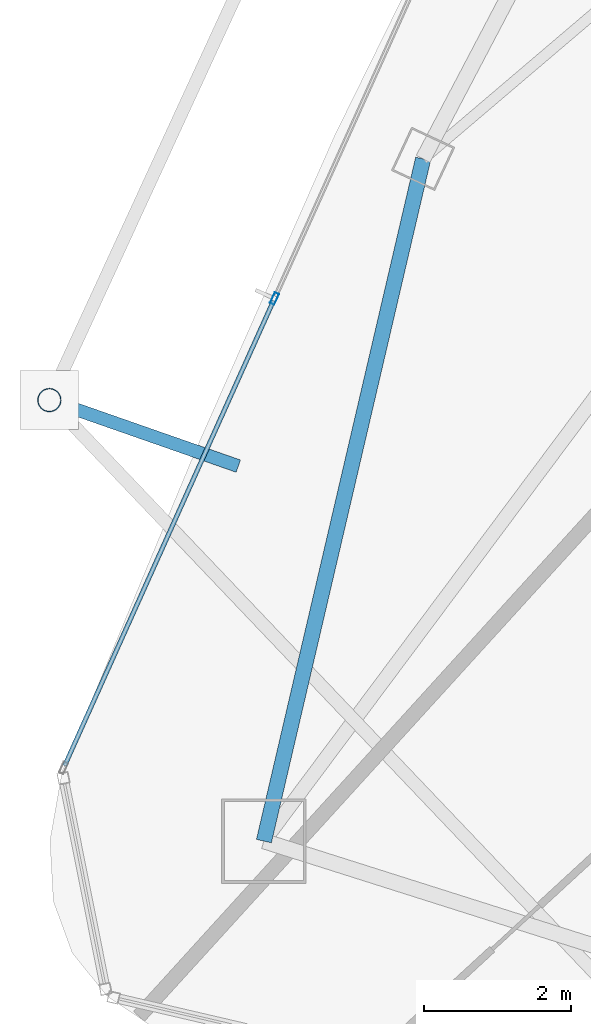
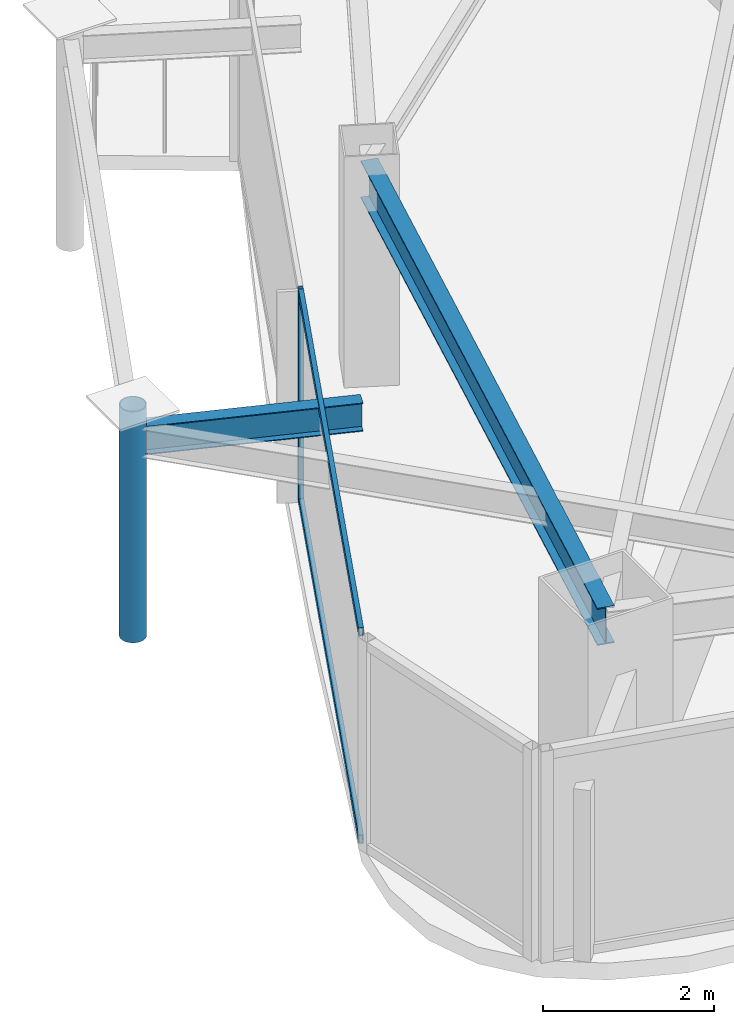
# One storey, part 5 of 30: 4 members, 2 beams, 1 element without a shape of its own.
"""IFC4 building model written with IfcOpenShell, lengths in metres."""

from ifc_helpers import new_model, si_unit, direction, frame, origin, origin_2d, place, context, subcontext, project, spatial, hollow_rectangle, hollow_circle, i_section, extrude, material, layer, layer_set, material_profile, profile_set, type_object, element, aggregate, save


model = new_model("IFC4")

# Units and contexts
model_context = context("Model", 3, precision=1e-05, world=origin(), true_north=direction((0.0, 1.0)))
body_context = subcontext(model_context, "Body", "Model", "MODEL_VIEW")
ifc_project = project(units=[si_unit("LENGTHUNIT", "METRE"), si_unit("AREAUNIT", "SQUARE_METRE"), si_unit("VOLUMEUNIT", "CUBIC_METRE"), si_unit("PLANEANGLEUNIT", "RADIAN"), si_unit("MASSUNIT", "GRAM", prefix="KILO")], contexts=[model_context])

# Site, building, storey
site_placement = place(None, origin())
site = spatial("IfcSite", under=ifc_project, at=site_placement, CompositionType="ELEMENT")
building_placement = place(site_placement, origin())
building = spatial("IfcBuilding", under=site, at=building_placement, Name="Orvanel Arch Residences", CompositionType="ELEMENT")
storey_placement = place(building_placement, frame((0.0, 0.0, 273.35009765625)))
storey = spatial("IfcBuildingStorey", under=building, at=storey_placement, Name="L78", CompositionType="ELEMENT", Elevation=273.35009765625)

# Curtain wall, member
ifc_material_1 = material(Name="Bronze-anodised aluminium AA6063-T6", Category="aluminium")
ifc_layer = layer(ifc_material_1, 0.175048828125)
ifc_layer_set = layer_set([ifc_layer], Name="Bronze-anodised aluminium AA6063-T6")
curtain_wall_type = type_object("IfcCurtainWallType", Name="CW4-HI-SYS", PredefinedType="NOTDEFINED", material=ifc_layer_set)
curtain_wall_placement = place(storey_placement, origin())
curtain_wall = element("IfcCurtainWall", 1, at=curtain_wall_placement, inside=storey, type_object=curtain_wall_type, Name="L78 CW4-HI-SYS Unitised Curtain Wall", PredefinedType="NOTDEFINED")
ifc_material_profile_1 = material_profile(ifc_material_1, hollow_rectangle(XDim=0.06494140625, YDim=0.159912109375, WallThickness=0.00390625, at=origin_2d()), Name="ALU160x65x4")
ifc_profile_set_1 = profile_set([ifc_material_profile_1], Name="Bronze-anodised aluminium AA6063-T6")
member_type_1 = type_object("IfcMemberType", Name="MUL-160x65", PredefinedType="MULLION", material=ifc_profile_set_1)
member_1_placement = place(storey_placement, frame((14.343017578125, 17.739990234375, 0.0), z_axis=(0.0, 0.0, 1.0), x_axis=(0.912157920998, -0.409838903913, 0.0)))
member_1 = element("IfcMember", 2, at=member_1_placement, type_object=member_type_1, Name="CW-S4 mullion 2", PredefinedType="MULLION", context=body_context, shape_type="SweptSolid", body=[
    extrude(hollow_rectangle(XDim=0.06494140625, YDim=0.159912109375, WallThickness=0.00390625, at=origin_2d()), origin(), (0.0, 0.0, 1.0), 3.02001953125),
])

# Beams
ifc_material_2 = material(Name="Structural steel AS/NZS 3679.1 Grade 300 (300 MPa)", Category="steel")
ifc_material_profile_2 = material_profile(ifc_material_2, i_section(OverallWidth=0.177978515625, OverallDepth=0.406005859375, WebThickness=0.0078125, FlangeThickness=0.0126953125, at=origin_2d()), Name="410UB59.7")
ifc_profile_set_2 = profile_set([ifc_material_profile_2], Name="Structural steel AS/NZS 3679.1 Grade 300 (300 MPa)")
beam_type_1 = type_object("IfcBeamType", Name="OB-410UB-EXT", PredefinedType="SPANDREL", material=ifc_profile_set_2)
beam_1_placement = place(storey_placement, frame((13.85009765625, 15.4580078125, 2.81689453125), z_axis=(-0.944043943208, 0.329819698158, 0.0), x_axis=(-0.329819698158, -0.944043943208, 0.0)))
element("IfcBeam", 3, at=beam_1_placement, inside=storey, type_object=beam_type_1, Name="L78 Outer Frame Radial Tie Beam 04", PredefinedType="SPANDREL", context=body_context, shape_type="SweptSolid", body=[
    extrude(i_section(OverallWidth=0.177978515625, OverallDepth=0.406005859375, WebThickness=0.0078125, FlangeThickness=0.0126953125, at=origin_2d()), origin(), (0.0, 0.0, 1.0), 2.7255859375),
])
ifc_material_profile_3 = material_profile(ifc_material_2, i_section(OverallWidth=0.208984375, OverallDepth=0.532958984375, WebThickness=0.01025390625, FlangeThickness=0.015625, at=origin_2d()), Name="530UB92.4")
ifc_profile_set_3 = profile_set([ifc_material_profile_3], Name="Structural steel AS/NZS 3679.1 Grade 300 (300 MPa)")
beam_type_2 = type_object("IfcBeamType", Name="SP-530UB", PredefinedType="SPANDREL", material=ifc_profile_set_3)
beam_2_placement = place(storey_placement, frame((16.366943359375, 19.64208984375, 2.7529296875), z_axis=(-0.227236087167, -0.973839699688, 0.0), x_axis=(0.973839699688, -0.227236087167, 0.0)))
element("IfcBeam", 4, at=beam_2_placement, inside=storey, type_object=beam_type_2, Name="L78 Perimeter Spandrel Beam 01", PredefinedType="SPANDREL", context=body_context, shape_type="SweptSolid", body=[
    extrude(i_section(OverallWidth=0.208984375, OverallDepth=0.532958984375, WebThickness=0.01025390625, FlangeThickness=0.015625, at=origin_2d()), origin(), (0.0, 0.0, 1.0), 9.54052734375),
])

# Member
ifc_material_3 = material(Name="Structural steel AS/NZS 1163 C350L0 (Grade 350)", Category="steel")
ifc_material_profile_4 = material_profile(ifc_material_3, hollow_circle(Radius=0.162109375, WallThickness=0.0126953125, at=origin_2d()), Name="CHS324x12.7")
ifc_profile_set_4 = profile_set([ifc_material_profile_4], Name="Structural steel AS/NZS 1163 C350L0 (Grade 350)")
member_type_2 = type_object("IfcMemberType", Name="ST-324CHS-EXT", PredefinedType="STRUT", material=ifc_profile_set_4)
member_2_placement = place(storey_placement, frame((11.277099609375, 16.35693359375, 0.0), z_axis=(0.0, 0.0, 1.0), x_axis=(1.0, 0.0, 0.0)))
element("IfcMember", 5, at=member_2_placement, inside=storey, type_object=member_type_2, Name="L78 Outer Perimeter Frame Post 04", PredefinedType="STRUT", context=body_context, shape_type="SweptSolid", body=[
    extrude(hollow_circle(Radius=0.162109375, WallThickness=0.0126953125, at=origin_2d()), origin(), (0.0, 0.0, 1.0), 3.2998046875),
])

ifc_material_profile_5 = material_profile(ifc_material_1, hollow_rectangle(XDim=0.06005859375, YDim=0.1201171875, WallThickness=0.00341796875, at=origin_2d()), Name="ALU120x60x3.5")
ifc_profile_set_5 = profile_set([ifc_material_profile_5], Name="Bronze-anodised aluminium AA6063-T6")
member_type_3 = type_object("IfcMemberType", Name="TRN-120x60", PredefinedType="USERDEFINED", material=ifc_profile_set_5)
member_3_placement = place(storey_placement, frame((14.32958984375, 17.71044921875, 0.02978515625), z_axis=(-0.409819162314, -0.912166790779, 0.0), x_axis=(0.912166790779, -0.409819162314, 0.0)))
member_3 = element("IfcMember", 6, at=member_3_placement, type_object=member_type_3, Name="CW-S4 transom 2.1", ObjectType="TRANSOM", PredefinedType="USERDEFINED", context=body_context, shape_type="SweptSolid", body=[
    extrude(hollow_rectangle(XDim=0.06005859375, YDim=0.1201171875, WallThickness=0.00341796875, at=origin_2d()), origin(), (0.0, 0.0, 1.0), 6.94189453125),
])

member_4_placement = place(storey_placement, frame((14.32958984375, 17.71044921875, 2.989990234375), z_axis=(-0.409819162314, -0.912166790779, 0.0), x_axis=(0.912166790779, -0.409819162314, 0.0)))
member_4 = element("IfcMember", 7, at=member_4_placement, type_object=member_type_3, Name="CW-S4 transom 2.2", ObjectType="TRANSOM", PredefinedType="USERDEFINED", context=body_context, shape_type="SweptSolid", body=[
    extrude(hollow_rectangle(XDim=0.06005859375, YDim=0.1201171875, WallThickness=0.00341796875, at=origin_2d()), origin(), (0.0, 0.0, 1.0), 6.94189453125),
])

aggregate(curtain_wall, [member_1, member_3, member_4])

save(model, "model.ifc")
